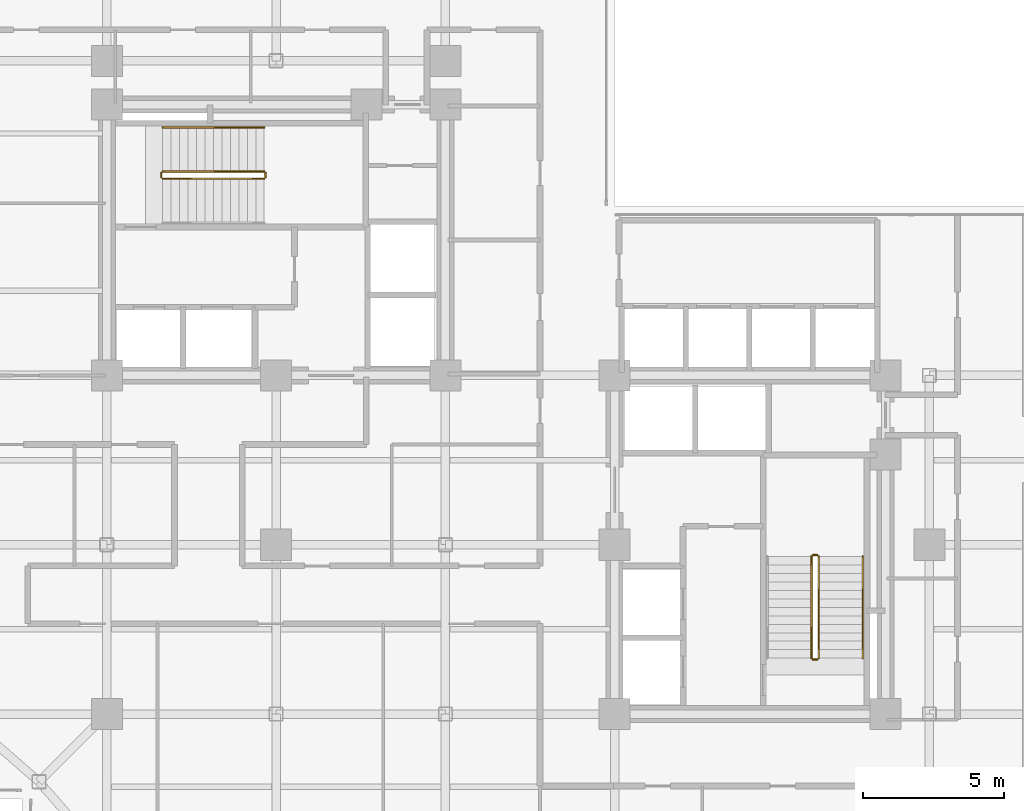
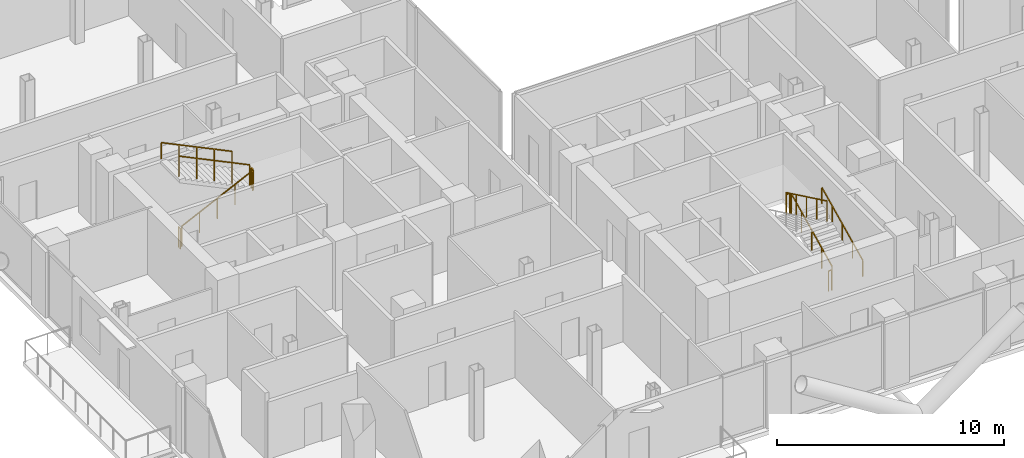
# One storey, part 24 of 24: 10 railings.
"""IFC4 building model written with IfcOpenShell, lengths in metres."""

from ifc_helpers import new_model, si_unit, direction, frame, origin, origin_2d, place, context, subcontext, project, spatial, rectangle, extrude, material, type_object, element, save


model = new_model("IFC4")

# Units and contexts
model_context = context("Model", 3, precision=1e-05, world=origin(), true_north=direction((0.0, 1.0)))
body_context = subcontext(model_context, "Body", "Model", "MODEL_VIEW")
ifc_project = project(units=[si_unit("LENGTHUNIT", "METRE"), si_unit("AREAUNIT", "SQUARE_METRE"), si_unit("VOLUMEUNIT", "CUBIC_METRE"), si_unit("PLANEANGLEUNIT", "RADIAN"), si_unit("MASSUNIT", "GRAM", prefix="KILO"), si_unit("THERMODYNAMICTEMPERATUREUNIT", "KELVIN"), si_unit("POWERUNIT", "WATT")], contexts=[model_context])

# Site, building, storey
site_placement = place(None, origin())
site = spatial("IfcSite", under=ifc_project, at=site_placement, CompositionType="ELEMENT")
building_placement = place(site_placement, origin())
building = spatial("IfcBuilding", under=site, at=building_placement, Name="Svarakhadi Broadcast Tower", CompositionType="ELEMENT")
storey_placement = place(building_placement, frame((0.0, 0.0, 141.89990234375)))
storey = spatial("IfcBuildingStorey", under=building, at=storey_placement, Name="L34", CompositionType="ELEMENT", Elevation=141.89990234375)

# Railings
ifc_material = material(Name="Anodised Bronze Aluminium AA 6063-T6", Category="aluminium")
railing_type_1 = type_object("IfcRailingType", Name="Guard_Stair_GR01", PredefinedType="GUARDRAIL", material=ifc_material)
railing_1_placement = place(storey_placement, frame((7.97998046875, 24.969970703125, 0.144287109375)))
element("IfcRailing", 1, at=railing_1_placement, inside=storey, type_object=railing_type_1, Name="L34 ST-01 stair guard 1", PredefinedType="GUARDRAIL", context=body_context, shape_type="SweptSolid", body=[
    extrude(rectangle(XDim=0.048095703125, YDim=0.048095703125, at=origin_2d()), frame((0.0, 0.0, 1.09619140625), z_axis=(0.901262522062, 0.0, 0.433273431364), x_axis=(0.0, 1.0, 0.0)), (0.0, 0.0, 1.0), 3.994384765625),
    extrude(rectangle(XDim=0.0419921875, YDim=0.0419921875, at=origin_2d()), origin(), (0.0, 0.0, 1.0), 1.072021484375),
    extrude(rectangle(XDim=0.0419921875, YDim=0.0419921875, at=origin_2d()), frame((0.89990234375, 0.0, 0.4326171875)), (0.0, 0.0, 1.0), 1.072021484375),
    extrude(rectangle(XDim=0.0419921875, YDim=0.0419921875, at=origin_2d()), frame((1.800048828125, 0.0, 0.865234375)), (0.0, 0.0, 1.0), 1.072021484375),
    extrude(rectangle(XDim=0.0419921875, YDim=0.0419921875, at=origin_2d()), frame((2.7001953125, 0.0, 1.298095703125)), (0.0, 0.0, 1.0), 1.072021484375),
    extrude(rectangle(XDim=0.0419921875, YDim=0.0419921875, at=origin_2d()), frame((3.60009765625, 0.0, 1.730712890625)), (0.0, 0.0, 1.0), 1.072021484375),
])
railing_2_placement = place(storey_placement, frame((11.6298828125, 25.02001953125, 1.875)))
element("IfcRailing", 2, at=railing_2_placement, inside=storey, type_object=railing_type_1, Name="L34 ST-01 stair guard 2", PredefinedType="GUARDRAIL", context=body_context, shape_type="SweptSolid", body=[
    extrude(rectangle(XDim=0.048095703125, YDim=0.048095703125, at=origin_2d()), frame((0.0, 0.0, 1.09619140625), z_axis=(0.0, 1.0, 0.0), x_axis=(-1.0, 0.0, 0.0)), (0.0, 0.0, 1.0), 0.159912109375),
    extrude(rectangle(XDim=0.0419921875, YDim=0.0419921875, at=origin_2d()), origin(), (0.0, 0.0, 1.0), 1.072021484375),
    extrude(rectangle(XDim=0.0419921875, YDim=0.0419921875, at=origin_2d()), frame((0.0, 0.159912109375, 0.0)), (0.0, 0.0, 1.0), 1.072021484375),
])
railing_3_placement = place(storey_placement, frame((11.580078125, 25.22998046875, 2.019287109375)))
element("IfcRailing", 3, at=railing_3_placement, inside=storey, type_object=railing_type_1, Name="L34 ST-01 stair guard 3", PredefinedType="GUARDRAIL", context=body_context, shape_type="SweptSolid", body=[
    extrude(rectangle(XDim=0.048095703125, YDim=0.048095703125, at=origin_2d()), frame((0.0, 0.0, 1.09619140625), z_axis=(-0.901262522062, 0.0, 0.433273431364), x_axis=(0.0, -1.0, 0.0)), (0.0, 0.0, 1.0), 3.994384765625),
    extrude(rectangle(XDim=0.0419921875, YDim=0.0419921875, at=origin_2d()), origin(), (0.0, 0.0, 1.0), 1.072021484375),
    extrude(rectangle(XDim=0.0419921875, YDim=0.0419921875, at=origin_2d()), frame((-0.89990234375, 0.0, 0.4326171875)), (0.0, 0.0, 1.0), 1.072021484375),
    extrude(rectangle(XDim=0.0419921875, YDim=0.0419921875, at=origin_2d()), frame((-1.800048828125, 0.0, 0.865234375)), (0.0, 0.0, 1.0), 1.072021484375),
    extrude(rectangle(XDim=0.0419921875, YDim=0.0419921875, at=origin_2d()), frame((-2.7001953125, 0.0, 1.298095703125)), (0.0, 0.0, 1.0), 1.072021484375),
    extrude(rectangle(XDim=0.0419921875, YDim=0.0419921875, at=origin_2d()), frame((-3.60009765625, 0.0, 1.730712890625)), (0.0, 0.0, 1.0), 1.072021484375),
])
railing_4_placement = place(storey_placement, frame((7.929931640625, 25.02001953125, 0.0)))
element("IfcRailing", 4, at=railing_4_placement, inside=storey, type_object=railing_type_1, Name="L34 ST-01 stair guard 4", PredefinedType="GUARDRAIL", context=body_context, shape_type="SweptSolid", body=[
    extrude(rectangle(XDim=0.048095703125, YDim=0.048095703125, at=origin_2d()), frame((0.0, 0.0, 1.09619140625), z_axis=(0.0, 1.0, 0.0), x_axis=(-1.0, 0.0, 0.0)), (0.0, 0.0, 1.0), 0.159912109375),
    extrude(rectangle(XDim=0.0419921875, YDim=0.0419921875, at=origin_2d()), origin(), (0.0, 0.0, 1.0), 1.072021484375),
    extrude(rectangle(XDim=0.0419921875, YDim=0.0419921875, at=origin_2d()), frame((0.0, 0.159912109375, 0.0)), (0.0, 0.0, 1.0), 1.072021484375),
])
railing_5_placement = place(storey_placement, frame((31.22998046875, 7.97998046875, 0.144287109375)))
element("IfcRailing", 5, at=railing_5_placement, inside=storey, type_object=railing_type_1, Name="L34 ST-02 stair guard 1", PredefinedType="GUARDRAIL", context=body_context, shape_type="SweptSolid", body=[
    extrude(rectangle(XDim=0.048095703125, YDim=0.048095703125, at=origin_2d()), frame((0.0, 0.0, 1.09619140625), z_axis=(0.0, 0.901262522062, 0.433273431364), x_axis=(-1.0, 0.0, 0.0)), (0.0, 0.0, 1.0), 3.994384765625),
    extrude(rectangle(XDim=0.0419921875, YDim=0.0419921875, at=origin_2d()), origin(), (0.0, 0.0, 1.0), 1.072021484375),
    extrude(rectangle(XDim=0.0419921875, YDim=0.0419921875, at=origin_2d()), frame((0.0, 0.89990234375, 0.4326171875)), (0.0, 0.0, 1.0), 1.072021484375),
    extrude(rectangle(XDim=0.0419921875, YDim=0.0419921875, at=origin_2d()), frame((0.0, 1.800048828125, 0.865234375)), (0.0, 0.0, 1.0), 1.072021484375),
    extrude(rectangle(XDim=0.0419921875, YDim=0.0419921875, at=origin_2d()), frame((0.0, 2.7001953125, 1.298095703125)), (0.0, 0.0, 1.0), 1.072021484375),
    extrude(rectangle(XDim=0.0419921875, YDim=0.0419921875, at=origin_2d()), frame((0.0, 3.60009765625, 1.730712890625)), (0.0, 0.0, 1.0), 1.072021484375),
])
railing_6_placement = place(storey_placement, frame((31.179931640625, 11.6298828125, 1.875)))
element("IfcRailing", 6, at=railing_6_placement, inside=storey, type_object=railing_type_1, Name="L34 ST-02 stair guard 2", PredefinedType="GUARDRAIL", context=body_context, shape_type="SweptSolid", body=[
    extrude(rectangle(XDim=0.048095703125, YDim=0.048095703125, at=origin_2d()), frame((0.0, 0.0, 1.09619140625), z_axis=(-1.0, 0.0, 0.0), x_axis=(0.0, -1.0, 0.0)), (0.0, 0.0, 1.0), 0.159912109375),
    extrude(rectangle(XDim=0.0419921875, YDim=0.0419921875, at=origin_2d()), origin(), (0.0, 0.0, 1.0), 1.072021484375),
    extrude(rectangle(XDim=0.0419921875, YDim=0.0419921875, at=origin_2d()), frame((-0.159912109375, 0.0, 0.0)), (0.0, 0.0, 1.0), 1.072021484375),
])
railing_7_placement = place(storey_placement, frame((30.969970703125, 11.580078125, 2.019287109375)))
element("IfcRailing", 7, at=railing_7_placement, inside=storey, type_object=railing_type_1, Name="L34 ST-02 stair guard 3", PredefinedType="GUARDRAIL", context=body_context, shape_type="SweptSolid", body=[
    extrude(rectangle(XDim=0.048095703125, YDim=0.048095703125, at=origin_2d()), frame((0.0, 0.0, 1.09619140625), z_axis=(0.0, -0.901262522062, 0.433273431364), x_axis=(1.0, 0.0, 0.0)), (0.0, 0.0, 1.0), 3.994384765625),
    extrude(rectangle(XDim=0.0419921875, YDim=0.0419921875, at=origin_2d()), origin(), (0.0, 0.0, 1.0), 1.072021484375),
    extrude(rectangle(XDim=0.0419921875, YDim=0.0419921875, at=origin_2d()), frame((0.0, -0.89990234375, 0.4326171875)), (0.0, 0.0, 1.0), 1.072021484375),
    extrude(rectangle(XDim=0.0419921875, YDim=0.0419921875, at=origin_2d()), frame((0.0, -1.800048828125, 0.865234375)), (0.0, 0.0, 1.0), 1.072021484375),
    extrude(rectangle(XDim=0.0419921875, YDim=0.0419921875, at=origin_2d()), frame((0.0, -2.7001953125, 1.298095703125)), (0.0, 0.0, 1.0), 1.072021484375),
    extrude(rectangle(XDim=0.0419921875, YDim=0.0419921875, at=origin_2d()), frame((0.0, -3.60009765625, 1.730712890625)), (0.0, 0.0, 1.0), 1.072021484375),
])
railing_8_placement = place(storey_placement, frame((31.179931640625, 7.929931640625, 0.0)))
element("IfcRailing", 8, at=railing_8_placement, inside=storey, type_object=railing_type_1, Name="L34 ST-02 stair guard 4", PredefinedType="GUARDRAIL", context=body_context, shape_type="SweptSolid", body=[
    extrude(rectangle(XDim=0.048095703125, YDim=0.048095703125, at=origin_2d()), frame((0.0, 0.0, 1.09619140625), z_axis=(-1.0, 0.0, 0.0), x_axis=(0.0, -1.0, 0.0)), (0.0, 0.0, 1.0), 0.159912109375),
    extrude(rectangle(XDim=0.0419921875, YDim=0.0419921875, at=origin_2d()), origin(), (0.0, 0.0, 1.0), 1.072021484375),
    extrude(rectangle(XDim=0.0419921875, YDim=0.0419921875, at=origin_2d()), frame((-0.159912109375, 0.0, 0.0)), (0.0, 0.0, 1.0), 1.072021484375),
])
railing_type_2 = type_object("IfcRailingType", Name="Handrail_Stair_HR01", PredefinedType="HANDRAIL", material=ifc_material)
railing_9_placement = place(storey_placement, frame((11.580078125, 26.7900390625, 2.019287109375)))
element("IfcRailing", 9, at=railing_9_placement, inside=storey, type_object=railing_type_2, Name="L34 ST-01 stair handrail 2", PredefinedType="HANDRAIL", context=body_context, shape_type="SweptSolid", body=[
    extrude(rectangle(XDim=0.048095703125, YDim=0.048095703125, at=origin_2d()), frame((0.0, 0.0, 0.8759765625), z_axis=(-0.901262522062, 0.0, 0.433273431364), x_axis=(0.0, -1.0, 0.0)), (0.0, 0.0, 1.0), 3.994384765625),
    extrude(rectangle(XDim=0.0419921875, YDim=0.0419921875, at=origin_2d()), origin(), (0.0, 0.0, 1.0), 0.851806640625),
    extrude(rectangle(XDim=0.0419921875, YDim=0.0419921875, at=origin_2d()), frame((-0.89990234375, 0.0, 0.4326171875)), (0.0, 0.0, 1.0), 0.851806640625),
    extrude(rectangle(XDim=0.0419921875, YDim=0.0419921875, at=origin_2d()), frame((-1.800048828125, 0.0, 0.865234375)), (0.0, 0.0, 1.0), 0.851806640625),
    extrude(rectangle(XDim=0.0419921875, YDim=0.0419921875, at=origin_2d()), frame((-2.7001953125, 0.0, 1.298095703125)), (0.0, 0.0, 1.0), 0.851806640625),
    extrude(rectangle(XDim=0.0419921875, YDim=0.0419921875, at=origin_2d()), frame((-3.60009765625, 0.0, 1.730712890625)), (0.0, 0.0, 1.0), 0.851806640625),
])
railing_10_placement = place(storey_placement, frame((32.7900390625, 7.97998046875, 0.144287109375)))
element("IfcRailing", 10, at=railing_10_placement, inside=storey, type_object=railing_type_2, Name="L34 ST-02 stair handrail 1", PredefinedType="HANDRAIL", context=body_context, shape_type="SweptSolid", body=[
    extrude(rectangle(XDim=0.048095703125, YDim=0.048095703125, at=origin_2d()), frame((0.0, 0.0, 0.8759765625), z_axis=(0.0, 0.901262522062, 0.433273431364), x_axis=(-1.0, 0.0, 0.0)), (0.0, 0.0, 1.0), 3.994384765625),
    extrude(rectangle(XDim=0.0419921875, YDim=0.0419921875, at=origin_2d()), origin(), (0.0, 0.0, 1.0), 0.851806640625),
    extrude(rectangle(XDim=0.0419921875, YDim=0.0419921875, at=origin_2d()), frame((0.0, 0.89990234375, 0.4326171875)), (0.0, 0.0, 1.0), 0.851806640625),
    extrude(rectangle(XDim=0.0419921875, YDim=0.0419921875, at=origin_2d()), frame((0.0, 1.800048828125, 0.865234375)), (0.0, 0.0, 1.0), 0.851806640625),
    extrude(rectangle(XDim=0.0419921875, YDim=0.0419921875, at=origin_2d()), frame((0.0, 2.7001953125, 1.298095703125)), (0.0, 0.0, 1.0), 0.851806640625),
    extrude(rectangle(XDim=0.0419921875, YDim=0.0419921875, at=origin_2d()), frame((0.0, 3.60009765625, 1.730712890625)), (0.0, 0.0, 1.0), 0.851806640625),
])

save(model, "model.ifc")
